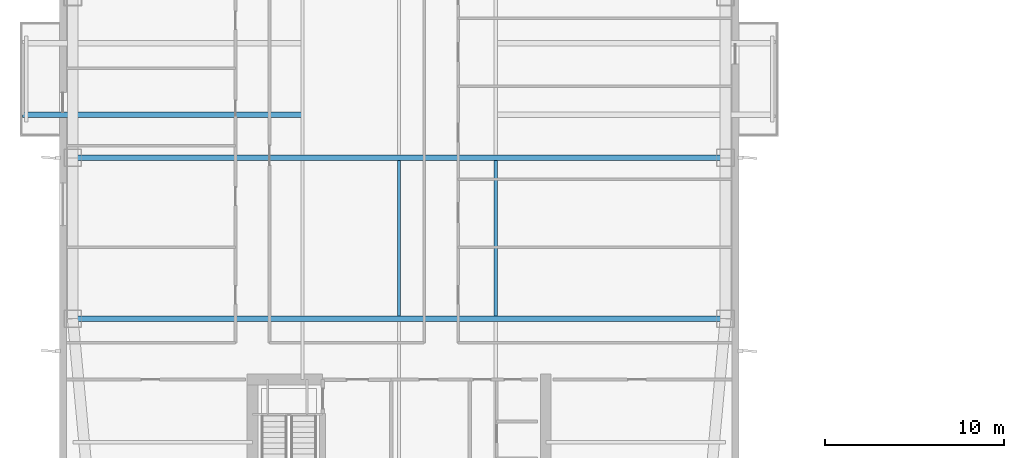
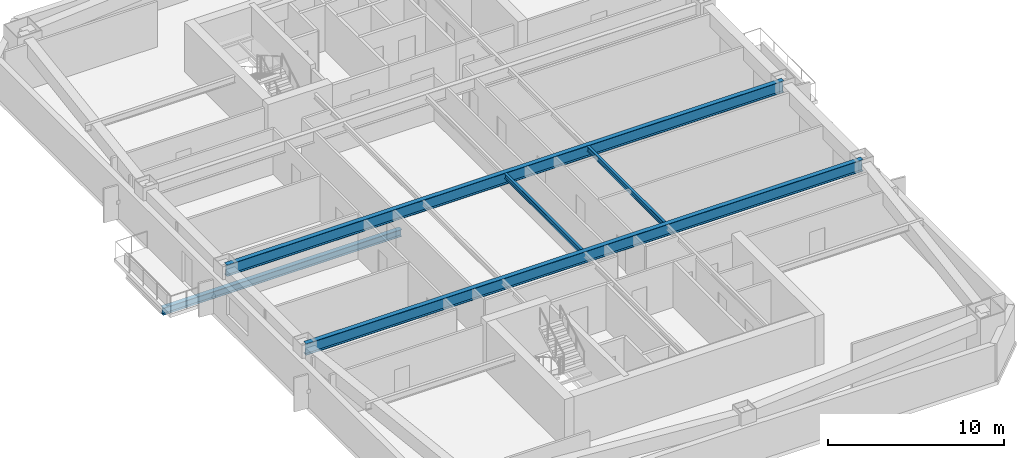
# One storey, part 2 of 23: 5 beams.
"""IFC4 building model written with IfcOpenShell, lengths in metres."""

import ifcopenshell
import ifcopenshell.guid

model = None  # the IFC model being written
_history = None  # IfcOwnerHistory: only IFC2X3 demands one
_inside = {}  # id of a spatial element -> (the spatial element, [elements in it])
_under = {}  # id of a project, library or spatial element -> (it, [spatial elements below it])
_declared = {}  # id of a project -> (the project, [libraries it declares])
_typed = {}  # id of a type object -> (the type object, [elements of that type])
_made_of = {}  # id of a material, layer set ... -> (it, [elements and type objects made of it])


def new_model(schema):
    """Start an empty IFC model of exactly this schema.

    Asked for "IFC4X3", IfcOpenShell would pick the latest addendum, in which some entities
    have other attributes; the version numbers below select the first issue.
    IFC2X3 requires an IfcOwnerHistory on every rooted entity: one is made here for all.
    """
    global model, _history
    if schema == "IFC4X3":
        model = ifcopenshell.file(schema_version=(4, 3, 0, 0))
    else:
        model = ifcopenshell.file(schema=schema)
    _inside.clear()
    _under.clear()
    _declared.clear()
    _typed.clear()
    _made_of.clear()
    _history = None
    if model.schema == "IFC2X3":
        org = make("IfcOrganization", Name="unknown")
        user = make(
            "IfcPersonAndOrganization",
            ThePerson=make("IfcPerson", FamilyName="unknown"),
            TheOrganization=org,
        )
        app = make(
            "IfcApplication",
            ApplicationDeveloper=org,
            Version="unknown",
            ApplicationFullName="unknown",
            ApplicationIdentifier="unknown",
        )
        _history = make(
            "IfcOwnerHistory",
            OwningUser=user,
            OwningApplication=app,
            ChangeAction="ADDED",
            CreationDate=0,
        )
    return model


def make(cls, **values):
    """One entity of the class cls with the attributes given. An attribute that is None is left unset."""
    return model.create_entity(
        cls, **{name: value for name, value in values.items() if value is not None}
    )


def rooted(cls, **values):
    """An entity with a GlobalId (a new one), such as an element, a storey or a relation."""
    return make(cls, GlobalId=ifcopenshell.guid.new(), OwnerHistory=_history, **values)


def si_unit(unit_type, name, prefix=None):
    """IfcSIUnit, for example si_unit("LENGTHUNIT", "METRE", prefix="MILLI")."""
    return make("IfcSIUnit", UnitType=unit_type, Prefix=prefix, Name=name)


def assignment(units):
    """IfcUnitAssignment: the units of a project."""
    return None if units is None else make("IfcUnitAssignment", Units=units)


def point(xyz):
    """IfcCartesianPoint."""
    return None if xyz is None else make("IfcCartesianPoint", Coordinates=xyz)


def direction(xyz):
    """IfcDirection."""
    return None if xyz is None else make("IfcDirection", DirectionRatios=xyz)


def frame(location, z_axis=None, x_axis=None):
    """IfcAxis2Placement3D, a coordinate frame: its origin and axes. An axis left out is left unset."""
    return make(
        "IfcAxis2Placement3D",
        Location=point(location),
        Axis=direction(z_axis),
        RefDirection=direction(x_axis),
    )


def frame_2d(location, x_axis=None):
    """IfcAxis2Placement2D, a coordinate frame in the plane: its origin and x axis."""
    return make(
        "IfcAxis2Placement2D", Location=point(location), RefDirection=direction(x_axis)
    )


def origin():
    """The frame at (0, 0, 0) with its axes left unset."""
    return frame((0.0, 0.0, 0.0))


def origin_2d():
    """The frame at (0, 0) in the plane with its x axis left unset."""
    return frame_2d((0.0, 0.0))


def place(relative_to, where):
    """IfcLocalPlacement: puts the frame where relative to a parent placement (None: the world)."""
    return make(
        "IfcLocalPlacement", PlacementRelTo=relative_to, RelativePlacement=where
    )


def context(
    kind, dimensions, precision=None, world=None, true_north=None, identifier=None
):
    """IfcGeometricRepresentationContext, for example the 3D "Model" context."""
    return make(
        "IfcGeometricRepresentationContext",
        ContextIdentifier=identifier,
        ContextType=kind,
        CoordinateSpaceDimension=dimensions,
        Precision=precision,
        WorldCoordinateSystem=world,
        TrueNorth=true_north,
    )


def subcontext(parent, identifier, kind, view, scale=None):
    """IfcGeometricRepresentationSubContext, for example "Body" below "Model"."""
    return make(
        "IfcGeometricRepresentationSubContext",
        ContextIdentifier=identifier,
        ContextType=kind,
        ParentContext=parent,
        TargetScale=scale,
        TargetView=view,
    )


def project(units=None, contexts=None):
    """IfcProject with its units and contexts."""
    return rooted(
        "IfcProject",
        Name="project",
        RepresentationContexts=contexts,
        UnitsInContext=assignment(units),
    )


def spatial(cls, under=None, at=None, **own):
    """A site, building, storey or space (cls), placed at a placement, below another one or the project."""
    s = rooted(cls, ObjectPlacement=at, **own)
    if under is not None:
        _under.setdefault(under.id(), (under, []))[1].append(s)
    return s


def profile(cls, at=None, kind="AREA", **sizes):
    """A parametric profile (cls). Its sizes go by their IFC names, for example OverallWidth=200.0."""
    return make(cls, ProfileType=kind, Position=at, **sizes)


def i_section(**sizes):
    """IfcIShapeProfileDef."""
    return profile("IfcIShapeProfileDef", **sizes)


def extrude(swept, where, along, depth):
    """IfcExtrudedAreaSolid: the profile swept, set in the frame where, extruded along a direction by depth."""
    return make(
        "IfcExtrudedAreaSolid",
        SweptArea=swept,
        Position=where,
        ExtrudedDirection=direction(along),
        Depth=depth,
    )


def shape(context_of_items, identifier, shape_type, items):
    """IfcShapeRepresentation: the items that make up one representation, for example the "Body"."""
    return make(
        "IfcShapeRepresentation",
        ContextOfItems=context_of_items,
        RepresentationIdentifier=identifier,
        RepresentationType=shape_type,
        Items=items,
    )


def material(Name=None, Category=None):
    """IfcMaterial."""
    return make("IfcMaterial", Name=Name, Category=Category)


def material_profile(
    of_material, cross_section, Name=None, Category=None, Priority=None
):
    """IfcMaterialProfile: a cross section and its material."""
    return make(
        "IfcMaterialProfile",
        Name=Name,
        Material=of_material,
        Profile=cross_section,
        Priority=Priority,
        Category=Category,
    )


def profile_set(profiles, Name=None, composite=None):
    """IfcMaterialProfileSet."""
    return make(
        "IfcMaterialProfileSet",
        Name=Name,
        MaterialProfiles=profiles,
        CompositeProfile=composite,
    )


def made_of(thing, what):
    """Note that an element or type object is made of a material, layer set ...; save() writes the relation."""
    if what is not None:
        _made_of.setdefault(what.id(), (what, []))[1].append(thing)
    return thing


def type_object(cls, material=None, **own):
    """A type object (cls), such as IfcWallType, which elements share."""
    return made_of(rooted(cls, **own), material)


def element(
    cls,
    number,
    at=None,
    inside=None,
    cuts=None,
    type_object=None,
    material=None,
    context=None,
    identifier="Body",
    shape_type=None,
    held_by="IfcProductDefinitionShape",
    body=None,
    shapes=None,
    **own,
):
    """One element of the class cls, such as IfcWall. Its Tag is "e" and its number.

    at: its placement. inside: the storey or other place that contains it. cuts: it is an
    opening in that element (IfcRelVoidsElement). A single representation is given by context,
    identifier, shape_type and body (its items); several are given by shapes. held_by: the class
    of the entity that holds the representations. save() writes the other relations.
    """
    e = rooted(cls, Tag="e%d" % number, ObjectPlacement=at, **own)
    if body is not None:
        shapes = [shape(context, identifier, shape_type, body)]
    if shapes is not None:
        e.Representation = make(held_by, Representations=shapes)
    if inside is not None:
        _inside.setdefault(inside.id(), (inside, []))[1].append(e)
    if cuts is not None:
        rooted(
            "IfcRelVoidsElement", RelatingBuildingElement=cuts, RelatedOpeningElement=e
        )
    if type_object is not None:
        _typed.setdefault(type_object.id(), (type_object, []))[1].append(e)
    return made_of(e, material)


def aggregate(whole, parts):
    """IfcRelAggregates: a whole, such as a stair, and the parts it consists of."""
    return rooted("IfcRelAggregates", RelatingObject=whole, RelatedObjects=parts)


def save(model, path):
    """Write the relations noted so far, then the file.

    IfcRelAggregates (storeys below a building ...), IfcRelContainedInSpatialStructure (elements
    in a storey), IfcRelDefinesByType, IfcRelAssociatesMaterial and IfcRelDeclares: one each for
    every whole, place, type object, material and project.
    """
    for whole, parts in _under.values():
        aggregate(whole, parts)
    for where, things in _inside.values():
        rooted(
            "IfcRelContainedInSpatialStructure",
            RelatedElements=things,
            RelatingStructure=where,
        )
    for kind, things in _typed.values():
        rooted("IfcRelDefinesByType", RelatedObjects=things, RelatingType=kind)
    for what, things in _made_of.values():
        rooted("IfcRelAssociatesMaterial", RelatedObjects=things, RelatingMaterial=what)
    for by, libraries in _declared.values():
        rooted("IfcRelDeclares", RelatingContext=by, RelatedDefinitions=libraries)
    model.write(path)


model = new_model("IFC4")

# Units and contexts
model_context = context("Model", 3, precision=1e-05, world=origin(), true_north=direction((0.0, 1.0)))
body_context = subcontext(model_context, "Body", "Model", "MODEL_VIEW")
ifc_project = project(units=[si_unit("LENGTHUNIT", "METRE"), si_unit("AREAUNIT", "SQUARE_METRE"), si_unit("VOLUMEUNIT", "CUBIC_METRE"), si_unit("PLANEANGLEUNIT", "RADIAN"), si_unit("MASSUNIT", "GRAM", prefix="KILO")], contexts=[model_context])

# Site, building, storey
site_placement = place(None, origin())
site = spatial("IfcSite", under=ifc_project, at=site_placement, CompositionType="ELEMENT")
building_placement = place(site_placement, origin())
building = spatial("IfcBuilding", under=site, at=building_placement, Name="Qiaolan Cultural Towers", CompositionType="ELEMENT")
storey_placement = place(building_placement, frame((0.0, 0.0, 100.050048828125)))
storey = spatial("IfcBuildingStorey", under=building, at=storey_placement, Name="L25", CompositionType="ELEMENT", Elevation=100.050048828125)

# Beams
ifc_material_1 = material(Name="Steel Q355B", Category="steel")
ifc_material_profile_1 = material_profile(ifc_material_1, i_section(OverallWidth=0.300048828125, OverallDepth=0.488037109375, WebThickness=0.010986328125, FlangeThickness=0.01806640625, at=origin_2d()), Name="HM488x300x11x18")
ifc_profile_set_1 = profile_set([ifc_material_profile_1], Name="Steel Q355B")
beam_type_1 = type_object("IfcBeamType", Name="BM-HM488x300x11x18", PredefinedType="BEAM", material=ifc_profile_set_1)
beam_placement = place(storey_placement, frame((24.60009765625, 36.39990234375, -0.524169921875), z_axis=(-1.0, 0.0, 0.0), x_axis=(0.0, -1.0, 0.0)))
element("IfcBeam", 1, at=beam_placement, inside=storey, type_object=beam_type_1, Name="L25 T1 Tree Balcony Back-Spanned Bracket Beam", PredefinedType="BEAM", context=body_context, shape_type="SweptSolid", body=[
    extrude(i_section(OverallWidth=0.300048828125, OverallDepth=0.488037109375, WebThickness=0.010986328125, FlangeThickness=0.01806640625, at=origin_2d()), origin(), (0.0, 0.0, 1.0), 15.650146484375),
])
ifc_material_2 = material(Name="Steel Q355B", Category="steel")
ifc_material_profile_2 = material_profile(ifc_material_2, i_section(OverallWidth=0.300048828125, OverallDepth=0.800048828125, WebThickness=0.013916015625, FlangeThickness=0.02587890625, at=origin_2d()), Name="HN800x300x14x26")
ifc_profile_set_2 = profile_set([ifc_material_profile_2], Name="Steel Q355B")
beam_type_2 = type_object("IfcBeamType", Name="BM-HN800x300x14x26", PredefinedType="BEAM", material=ifc_profile_set_2)
for number, where, z_axis, x_axis, name in (
    (2, (11.75, 25.0, 2.7900390625), (1.0, 0.0, 0.0), (0.0, 1.0, 0.0), "L25 T1 Primary Transverse Girder V1"),
    (3, (11.75, 34.0, 2.7900390625), (1.0, 0.0, 0.0), (0.0, 1.0, 0.0), "L25 T1 Primary Transverse Girder V2"),
):
    element("IfcBeam", number, at=place(storey_placement, frame(where, z_axis=z_axis, x_axis=x_axis)), inside=storey, type_object=beam_type_2, Name=name, PredefinedType="BEAM", context=body_context, shape_type="SweptSolid", body=[
        extrude(i_section(OverallWidth=0.300048828125, OverallDepth=0.800048828125, WebThickness=0.013916015625, FlangeThickness=0.02587890625, at=origin_2d()), origin(), (0.0, 0.0, 1.0), 36.5),
    ])
ifc_material_3 = material(Name="Steel Q355B", Category="steel")
ifc_material_profile_3 = material_profile(ifc_material_3, i_section(OverallWidth=0.175048828125, OverallDepth=0.35009765625, WebThickness=0.007080078125, FlangeThickness=0.010986328125, at=origin_2d()), Name="HN350x175x7x11")
ifc_profile_set_3 = profile_set([ifc_material_profile_3], Name="Steel Q355B")
beam_type_3 = type_object("IfcBeamType", Name="BM-JST-HN350x175x7x11", PredefinedType="JOIST", material=ifc_profile_set_3)
for number, where, z_axis, x_axis, name in (
    (4, (30.0, 25.14990234375, 3.014892578125), (0.0, 1.0, 0.0), (-1.0, 0.0, 0.0), "L25 T1 Secondary Floor Joist U2-2"),
    (5, (35.39990234375, 25.14990234375, 3.014892578125), (0.0, 1.0, 0.0), (-1.0, 0.0, 0.0), "L25 T1 Secondary Floor Joist U3-2"),
):
    element("IfcBeam", number, at=place(storey_placement, frame(where, z_axis=z_axis, x_axis=x_axis)), inside=storey, type_object=beam_type_3, Name=name, PredefinedType="JOIST", context=body_context, shape_type="SweptSolid", body=[
        extrude(i_section(OverallWidth=0.175048828125, OverallDepth=0.35009765625, WebThickness=0.007080078125, FlangeThickness=0.010986328125, at=origin_2d()), origin(), (0.0, 0.0, 1.0), 8.7001953125),
    ])

save(model, "model.ifc")
